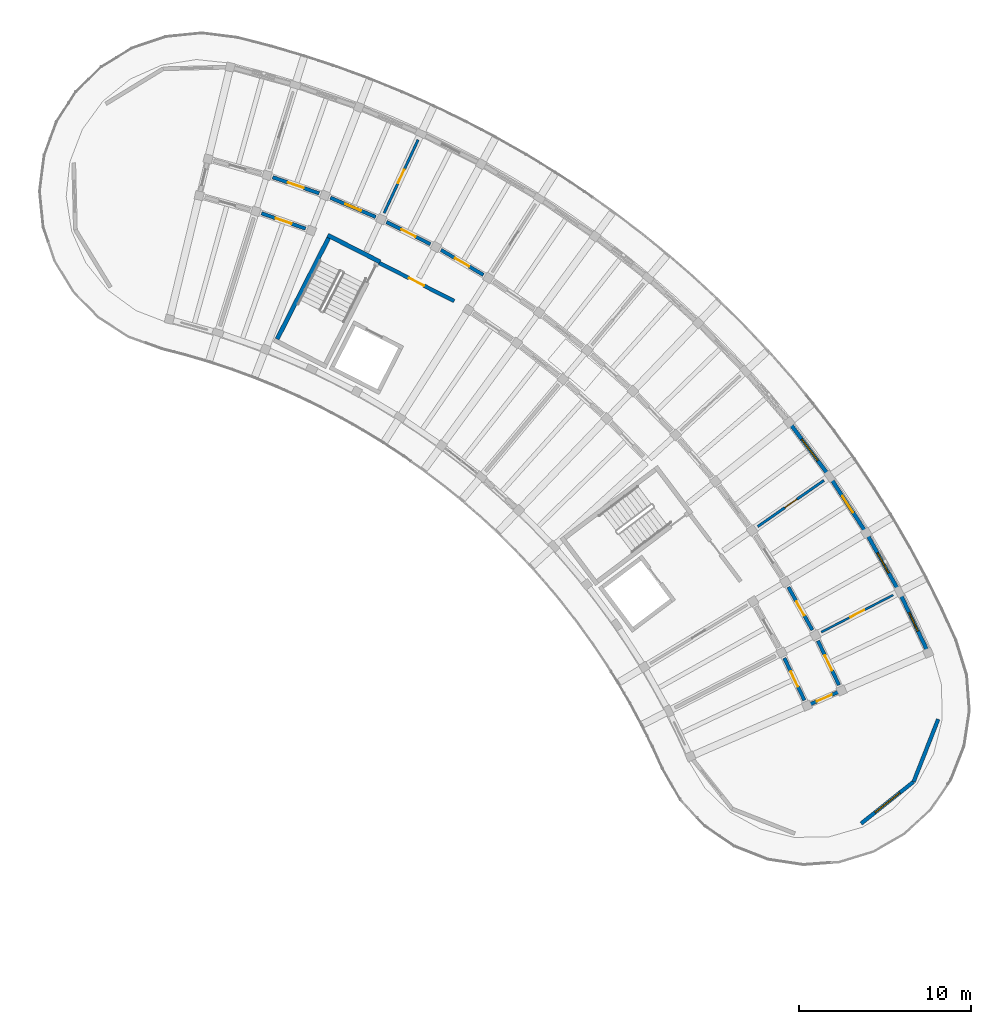
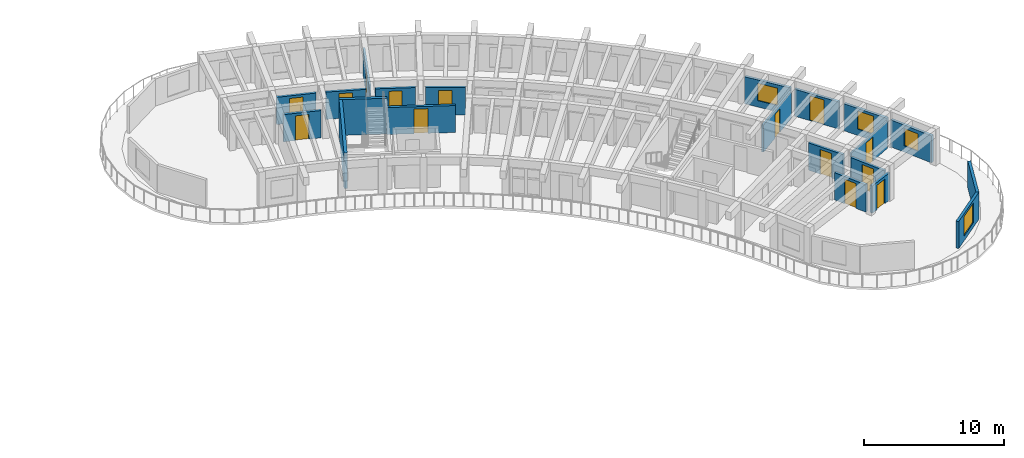
# One storey, part 25 of 41: 21 walls, 14 doors, 4 windows, 18 openings.
"""IFC4 building model written with IfcOpenShell, lengths in metres."""

from ifc_helpers import new_model, si_unit, direction, frame, frame_2d, origin, place, context, subcontext, project, spatial, rectangle, extrude, material, layer, layer_set, type_object, element, fill, save


model = new_model("IFC4")

# Units and contexts
model_context = context("Model", 3, precision=1e-05, world=origin(), true_north=direction((0.0, 1.0)))
body_context = subcontext(model_context, "Body", "Model", "MODEL_VIEW")
ifc_project = project(units=[si_unit("LENGTHUNIT", "METRE"), si_unit("AREAUNIT", "SQUARE_METRE"), si_unit("VOLUMEUNIT", "CUBIC_METRE"), si_unit("PLANEANGLEUNIT", "RADIAN"), si_unit("MASSUNIT", "GRAM", prefix="KILO")], contexts=[model_context])

# Site, building, storey
site_placement = place(None, origin())
site = spatial("IfcSite", under=ifc_project, at=site_placement, CompositionType="ELEMENT")
building_placement = place(site_placement, origin())
building = spatial("IfcBuilding", under=site, at=building_placement, Name="Tanwirah Colonnade Gardens", CompositionType="ELEMENT")
storey_placement = place(building_placement, frame((0.0, 0.0, 35.719970703125)))
storey = spatial("IfcBuildingStorey", under=building, at=storey_placement, Name="L10", CompositionType="ELEMENT", Elevation=35.719970703125)

# Wall, opening, window
ifc_material_1 = material(Name="Limestone architectural precast concrete C40/50", Category="masonry")
ifc_layer_1 = layer(ifc_material_1, 0.219970703125)
ifc_layer_set_1 = layer_set([ifc_layer_1], Name="Limestone architectural precast concrete C40/50")
wall_type_1 = type_object("IfcWallType", Name="EW-PC220", PredefinedType="SOLIDWALL", material=ifc_layer_set_1)
wall_1_placement = place(storey_placement, frame((175.493408203125, 84.197021484375, 0.0), z_axis=(0.0, 0.0, 1.0), x_axis=(-0.429641817045, 0.902999395928, 0.0)))
wall_1 = element("IfcWall", 1, at=wall_1_placement, inside=storey, type_object=wall_type_1, Name="Block B L10 OUT Precast Facade Wall 2", PredefinedType="SOLIDWALL", context=body_context, shape_type="SweptSolid", body=[
    extrude(rectangle(XDim=3.540771484375, YDim=0.219970703125, at=frame_2d((1.7705078125, 0.0))), origin(), (0.0, 0.0, 1.0), 2.35498046875),
])
opening_1_placement = place(wall_1_placement, frame((1.17041015625, 0.0, 0.550048828125)))
opening_1 = element("IfcOpeningElement", 2, at=opening_1_placement, cuts=wall_1, Name="Opening WIN-U02", PredefinedType="OPENING", context=body_context, shape_type="SweptSolid", body=[
    extrude(rectangle(XDim=1.199951171875, YDim=1.510009765625, at=frame_2d((0.60009765625, 0.7548828125))), frame((0.0, 0.119873046875, 0.0), z_axis=(0.0, -1.0, 0.0), x_axis=(1.0, 0.0, 0.0)), (0.0, 0.0, 1.0), 0.239990234375),
])
ifc_material_2 = material(Name="Thermally broken bronze aluminium and solar low-E double glazing", Category="aluminium")
window_type_1 = type_object("IfcWindowType", Name="WIN-U02", PartitioningType="DOUBLE_PANEL_VERTICAL", PredefinedType="WINDOW", material=ifc_material_2)
window_1_placement = place(opening_1_placement, origin())
window_1 = element("IfcWindow", 3, at=window_1_placement, inside=storey, type_object=window_type_1, Name="Facade window B-L10-OUT-02", OverallHeight=1.510009765625, OverallWidth=1.199951171875, PartitioningType="SINGLE_PANEL", PredefinedType="WINDOW", context=body_context, shape_type="SweptSolid", body=[
    extrude(rectangle(XDim=1.199951171875, YDim=1.510009765625, at=frame_2d((0.60009765625, 0.7548828125))), frame((0.0, 0.030029296875, 0.0), z_axis=(0.0, -1.0, 0.0), x_axis=(1.0, 0.0, 0.0)), (0.0, 0.0, 1.0), 0.06005859375),
])
fill(opening_1, window_1)

wall_2_placement = place(storey_placement, frame((173.82080078125, 87.687255859375, 0.0), z_axis=(0.0, 0.0, 1.0), x_axis=(-0.488240096514, 0.872709349185, 0.0)))
wall_2 = element("IfcWall", 4, at=wall_2_placement, inside=storey, type_object=wall_type_1, Name="Block B L10 OUT Precast Facade Wall 3", PredefinedType="SOLIDWALL", context=body_context, shape_type="SweptSolid", body=[
    extrude(rectangle(XDim=3.540771484375, YDim=0.219970703125, at=frame_2d((1.7705078125, 0.0))), origin(), (0.0, 0.0, 1.0), 2.35498046875),
])
opening_2_placement = place(wall_2_placement, frame((1.1103515625, 0.0, 0.550048828125)))
opening_2 = element("IfcOpeningElement", 5, at=opening_2_placement, cuts=wall_2, Name="Opening WIN-U05", PredefinedType="OPENING", context=body_context, shape_type="SweptSolid", body=[
    extrude(rectangle(XDim=1.320068359375, YDim=1.5849609375, at=frame_2d((0.66015625, 0.79248046875))), frame((0.0, 0.119873046875, 0.0), z_axis=(0.0, -1.0, 0.0), x_axis=(1.0, 0.0, 0.0)), (0.0, 0.0, 1.0), 0.239990234375),
])
window_type_2 = type_object("IfcWindowType", Name="WIN-U05", PartitioningType="DOUBLE_PANEL_VERTICAL", PredefinedType="WINDOW", material=ifc_material_2)
window_2_placement = place(opening_2_placement, origin())
window_2 = element("IfcWindow", 6, at=window_2_placement, inside=storey, type_object=window_type_2, Name="Facade window B-L10-OUT-03", OverallHeight=1.5849609375, OverallWidth=1.320068359375, PartitioningType="SINGLE_PANEL", PredefinedType="WINDOW", context=body_context, shape_type="SweptSolid", body=[
    extrude(rectangle(XDim=1.320068359375, YDim=1.5849609375, at=frame_2d((0.66015625, 0.79248046875))), frame((0.0, 0.030029296875, 0.0), z_axis=(0.0, -1.0, 0.0), x_axis=(1.0, 0.0, 0.0)), (0.0, 0.0, 1.0), 0.06005859375),
])
fill(opening_2, window_2)

# Wall, opening, door
wall_3_placement = place(storey_placement, frame((171.864990234375, 91.154052734375, 0.0), z_axis=(0.0, 0.0, 1.0), x_axis=(-0.544651423633, 0.838662522553, 0.0)))
wall_3 = element("IfcWall", 7, at=wall_3_placement, inside=storey, type_object=wall_type_1, Name="Block B L10 OUT Precast Facade Wall 4", PredefinedType="SOLIDWALL", context=body_context, shape_type="SweptSolid", body=[
    extrude(rectangle(XDim=3.540771484375, YDim=0.219970703125, at=frame_2d((1.7705078125, 0.0))), origin(), (0.0, 0.0, 1.0), 2.35498046875),
])
opening_3_placement = place(wall_3_placement, frame((1.2001953125, 0.0, 0.0)))
opening_3 = element("IfcOpeningElement", 8, at=opening_3_placement, cuts=wall_3, Name="Opening L10-ED114", PredefinedType="OPENING", context=body_context, shape_type="SweptSolid", body=[
    extrude(rectangle(XDim=1.139892578125, YDim=2.159912109375, at=frame_2d((0.56982421875, 1.080078125))), frame((0.0, 0.119873046875, 0.0), z_axis=(0.0, -1.0, 0.0), x_axis=(1.0, 0.0, 0.0)), (0.0, 0.0, 1.0), 0.239990234375),
])
ifc_material_3 = material(Name="Bronze aluminium glazed balcony door", Category="aluminium")
door_type_1 = type_object("IfcDoorType", Name="ED-BAL114", OperationType="NOTDEFINED", PredefinedType="DOOR", material=ifc_material_3)
door_1_placement = place(opening_3_placement, origin())
door_1 = element("IfcDoor", 9, at=door_1_placement, inside=storey, type_object=door_type_1, Name="Balcony glazed door L10-ED114", OperationType="SINGLE_SWING_LEFT", OverallHeight=2.159912109375, OverallWidth=1.139892578125, PredefinedType="DOOR", context=body_context, shape_type="SweptSolid", body=[
    extrude(rectangle(XDim=1.139892578125, YDim=2.159912109375, at=frame_2d((0.56982421875, 1.080078125))), frame((0.0, 0.02490234375, 0.0), z_axis=(0.0, -1.0, 0.0), x_axis=(1.0, 0.0, 0.0)), (0.0, 0.0, 1.0), 0.050048828125),
])
fill(opening_3, door_1)

# Wall, opening, window
wall_4_placement = place(storey_placement, frame((169.747802734375, 94.39404296875, 0.0), z_axis=(0.0, 0.0, 1.0), x_axis=(-0.59871946339, 0.800958803034, 0.0)))
wall_4 = element("IfcWall", 10, at=wall_4_placement, inside=storey, type_object=wall_type_1, Name="Block B L10 OUT Precast Facade Wall 5", PredefinedType="SOLIDWALL", context=body_context, shape_type="SweptSolid", body=[
    extrude(rectangle(XDim=3.540771484375, YDim=0.219970703125, at=frame_2d((1.7705078125, 0.0))), origin(), (0.0, 0.0, 1.0), 2.35498046875),
])
opening_4_placement = place(wall_4_placement, frame((0.990478515625, 0.0, 0.550048828125)))
opening_4 = element("IfcOpeningElement", 11, at=opening_4_placement, cuts=wall_4, Name="Opening WIN-U11", PredefinedType="OPENING", context=body_context, shape_type="SweptSolid", body=[
    extrude(rectangle(XDim=1.56005859375, YDim=1.510009765625, at=frame_2d((0.780029296875, 0.7548828125))), frame((0.0, 0.119873046875, 0.0), z_axis=(0.0, -1.0, 0.0), x_axis=(1.0, 0.0, 0.0)), (0.0, 0.0, 1.0), 0.239990234375),
])
window_type_3 = type_object("IfcWindowType", Name="WIN-U11", PartitioningType="DOUBLE_PANEL_VERTICAL", PredefinedType="WINDOW", material=ifc_material_2)
window_3_placement = place(opening_4_placement, origin())
window_3 = element("IfcWindow", 12, at=window_3_placement, inside=storey, type_object=window_type_3, Name="Facade window B-L10-OUT-05", OverallHeight=1.510009765625, OverallWidth=1.56005859375, PartitioningType="SINGLE_PANEL", PredefinedType="WINDOW", context=body_context, shape_type="SweptSolid", body=[
    extrude(rectangle(XDim=1.56005859375, YDim=1.510009765625, at=frame_2d((0.780029296875, 0.7548828125))), frame((0.0, 0.030029296875, 0.0), z_axis=(0.0, -1.0, 0.0), x_axis=(1.0, 0.0, 0.0)), (0.0, 0.0, 1.0), 0.06005859375),
])
fill(opening_4, window_3)

# Wall
wall_5_placement = place(storey_placement, frame((176.169189453125, 80.1337890625, 0.0), z_axis=(0.0, 0.0, 1.0), x_axis=(-0.365567330517, -0.930784898276, 0.0)))
element("IfcWall", 13, at=wall_5_placement, inside=storey, type_object=wall_type_1, Name="Block B L10 START Rounded End Wall 1", PredefinedType="SOLIDWALL", context=body_context, shape_type="SweptSolid", body=[
    extrude(rectangle(XDim=3.908203125, YDim=0.219970703125, at=frame_2d((1.9541015625, 0.0))), origin(), (0.0, 0.0, 1.0), 2.35498046875),
])

# Wall, opening, window
wall_6_placement = place(storey_placement, frame((174.740478515625, 76.49609375, 0.0), z_axis=(0.0, 0.0, 1.0), x_axis=(-0.782007217765, -0.623269373034, 0.0)))
wall_6 = element("IfcWall", 14, at=wall_6_placement, inside=storey, type_object=wall_type_1, Name="Block B L10 START Rounded End Wall 2", PredefinedType="SOLIDWALL", context=body_context, shape_type="SweptSolid", body=[
    extrude(rectangle(XDim=3.908203125, YDim=0.219970703125, at=frame_2d((1.9541015625, 0.0))), origin(), (0.0, 0.0, 1.0), 2.35498046875),
])
opening_5_placement = place(wall_6_placement, frame((1.029052734375, 0.0, 0.39990234375)))
opening_5 = element("IfcOpeningElement", 15, at=opening_5_placement, cuts=wall_6, Name="Opening WIN-END1", PredefinedType="OPENING", context=body_context, shape_type="SweptSolid", body=[
    extrude(rectangle(XDim=1.85009765625, YDim=1.719970703125, at=frame_2d((0.925048828125, 0.85986328125))), frame((0.0, 0.119873046875, 0.0), z_axis=(0.0, -1.0, 0.0), x_axis=(1.0, 0.0, 0.0)), (0.0, 0.0, 1.0), 0.239990234375),
])
window_type_4 = type_object("IfcWindowType", Name="WIN-END1", PartitioningType="TRIPLE_PANEL_VERTICAL", PredefinedType="WINDOW", material=ifc_material_2)
window_4_placement = place(opening_5_placement, origin())
window_4 = element("IfcWindow", 16, at=window_4_placement, inside=storey, type_object=window_type_4, Name="Rounded corner window B-L10-START-2", OverallHeight=1.719970703125, OverallWidth=1.85009765625, PartitioningType="SINGLE_PANEL", PredefinedType="WINDOW", context=body_context, shape_type="SweptSolid", body=[
    extrude(rectangle(XDim=1.85009765625, YDim=1.719970703125, at=frame_2d((0.925048828125, 0.85986328125))), frame((0.0, 0.030029296875, 0.0), z_axis=(0.0, -1.0, 0.0), x_axis=(1.0, 0.0, 0.0)), (0.0, 0.0, 1.0), 0.06005859375),
])
fill(opening_5, window_4)

# Wall, opening, door
ifc_material_4 = material(Name="Precast concrete C40/50", Category="concrete")
ifc_layer_2 = layer(ifc_material_4, 0.205078125)
ifc_layer_set_2 = layer_set([ifc_layer_2], Name="Precast concrete C40/50")
wall_type_2 = type_object("IfcWallType", Name="IW-CORR205", PredefinedType="PARTITIONING", material=ifc_layer_set_2)
wall_7_placement = place(storey_placement, frame((170.395751953125, 82.116455078125, 0.0), z_axis=(0.0, 0.0, 1.0), x_axis=(-0.429595933416, 0.90302122566, 0.0)))
wall_7 = element("IfcWall", 17, at=wall_7_placement, inside=storey, type_object=wall_type_2, Name="Block B L10 OUT Corridor Wall 2", PredefinedType="PARTITIONING", context=body_context, shape_type="SweptSolid", body=[
    extrude(rectangle(XDim=2.863037109375, YDim=0.205078125, at=frame_2d((1.431640625, 0.0))), origin(), (0.0, 0.0, 1.0), 2.3701171875),
])
opening_6_placement = place(wall_7_placement, frame((0.946533203125, 0.0, 0.0)))
opening_6 = element("IfcOpeningElement", 18, at=opening_6_placement, cuts=wall_7, Name="Opening L10-AD1194", PredefinedType="OPENING", context=body_context, shape_type="SweptSolid", body=[
    extrude(rectangle(XDim=0.969970703125, YDim=2.14990234375, at=frame_2d((0.48486328125, 1.074951171875))), frame((0.0, 0.112548828125, 0.0), z_axis=(0.0, -1.0, 0.0), x_axis=(1.0, 0.0, 0.0)), (0.0, 0.0, 1.0), 0.22509765625),
])
ifc_material_5 = material(Name="Solid oak fire-resisting apartment entrance door")
door_type_2 = type_object("IfcDoorType", Name="ID-FLT097", OperationType="NOTDEFINED", PredefinedType="DOOR", material=ifc_material_5)
door_2_placement = place(opening_6_placement, origin())
door_2 = element("IfcDoor", 19, at=door_2_placement, inside=storey, type_object=door_type_2, Name="Apartment corridor door L10-AD1194", OperationType="SINGLE_SWING_LEFT", OverallHeight=2.14990234375, OverallWidth=0.969970703125, PredefinedType="DOOR", context=body_context, shape_type="SweptSolid", body=[
    extrude(rectangle(XDim=0.969970703125, YDim=2.14990234375, at=frame_2d((0.48486328125, 1.074951171875))), frame((0.0, 0.02490234375, 0.0), z_axis=(0.0, -1.0, 0.0), x_axis=(1.0, 0.0, 0.0)), (0.0, 0.0, 1.0), 0.050048828125),
])
fill(opening_6, door_2)

wall_8_placement = place(storey_placement, frame((168.379150390625, 81.2373046875, 0.0), z_axis=(0.0, 0.0, 1.0), x_axis=(-0.429630211913, 0.90300491749, 0.0)))
wall_8 = element("IfcWall", 20, at=wall_8_placement, inside=storey, type_object=wall_type_2, Name="Block B L10 IN Corridor Wall 2", PredefinedType="PARTITIONING", context=body_context, shape_type="SweptSolid", body=[
    extrude(rectangle(XDim=2.718017578125, YDim=0.205078125, at=frame_2d((1.35888671875, 0.0))), origin(), (0.0, 0.0, 1.0), 2.3701171875),
])
opening_7_placement = place(wall_8_placement, frame((0.8740234375, 0.0, 0.0)))
opening_7 = element("IfcOpeningElement", 21, at=opening_7_placement, cuts=wall_8, Name="Opening L10-AD1195", PredefinedType="OPENING", context=body_context, shape_type="SweptSolid", body=[
    extrude(rectangle(XDim=0.969970703125, YDim=2.14990234375, at=frame_2d((0.48486328125, 1.074951171875))), frame((0.0, 0.112548828125, 0.0), z_axis=(0.0, -1.0, 0.0), x_axis=(1.0, 0.0, 0.0)), (0.0, 0.0, 1.0), 0.22509765625),
])
door_3_placement = place(opening_7_placement, origin())
door_3 = element("IfcDoor", 22, at=door_3_placement, inside=storey, type_object=door_type_2, Name="Apartment corridor door L10-AD1195", OperationType="SINGLE_SWING_RIGHT", OverallHeight=2.14990234375, OverallWidth=0.969970703125, PredefinedType="DOOR", context=body_context, shape_type="SweptSolid", body=[
    extrude(rectangle(XDim=0.969970703125, YDim=2.14990234375, at=frame_2d((0.48486328125, 1.074951171875))), frame((0.0, 0.02490234375, 0.0), z_axis=(0.0, -1.0, 0.0), x_axis=(1.0, 0.0, 0.0)), (0.0, 0.0, 1.0), 0.050048828125),
])
fill(opening_7, door_3)

wall_9_placement = place(storey_placement, frame((168.844482421875, 85.323486328125, 0.0), z_axis=(0.0, 0.0, 1.0), x_axis=(-0.48817487918, 0.872745832037, 0.0)))
wall_9 = element("IfcWall", 23, at=wall_9_placement, inside=storey, type_object=wall_type_2, Name="Block B L10 OUT Corridor Wall 3", PredefinedType="PARTITIONING", context=body_context, shape_type="SweptSolid", body=[
    extrude(rectangle(XDim=2.863037109375, YDim=0.205078125, at=frame_2d((1.431640625, 0.0))), origin(), (0.0, 0.0, 1.0), 2.3701171875),
])
opening_8_placement = place(wall_9_placement, frame((0.95654296875, 0.0, 0.0)))
opening_8 = element("IfcOpeningElement", 24, at=opening_8_placement, cuts=wall_9, Name="Opening L10-AD1197", PredefinedType="OPENING", context=body_context, shape_type="SweptSolid", body=[
    extrude(rectangle(XDim=0.949951171875, YDim=2.1298828125, at=frame_2d((0.47509765625, 1.06494140625))), frame((0.0, 0.112548828125, 0.0), z_axis=(0.0, -1.0, 0.0), x_axis=(1.0, 0.0, 0.0)), (0.0, 0.0, 1.0), 0.22509765625),
])
door_type_3 = type_object("IfcDoorType", Name="ID-FLT095", OperationType="NOTDEFINED", PredefinedType="DOOR", material=ifc_material_5)
door_4_placement = place(opening_8_placement, origin())
door_4 = element("IfcDoor", 25, at=door_4_placement, inside=storey, type_object=door_type_3, Name="Apartment corridor door L10-AD1197", OperationType="SINGLE_SWING_RIGHT", OverallHeight=2.1298828125, OverallWidth=0.949951171875, PredefinedType="DOOR", context=body_context, shape_type="SweptSolid", body=[
    extrude(rectangle(XDim=0.949951171875, YDim=2.1298828125, at=frame_2d((0.47509765625, 1.06494140625))), frame((0.0, 0.02490234375, 0.0), z_axis=(0.0, -1.0, 0.0), x_axis=(1.0, 0.0, 0.0)), (0.0, 0.0, 1.0), 0.050048828125),
])
fill(opening_8, door_4)

wall_10_placement = place(storey_placement, frame((149.6953125, 105.991455078125, 0.0), z_axis=(0.0, 0.0, 1.0), x_axis=(-0.861113214678, 0.508413248753, 0.0)))
wall_10 = element("IfcWall", 26, at=wall_10_placement, inside=storey, type_object=wall_type_2, Name="Block B L10 OUT Corridor Wall 11", PredefinedType="PARTITIONING", context=body_context, shape_type="SweptSolid", body=[
    extrude(rectangle(XDim=2.863037109375, YDim=0.205078125, at=frame_2d((1.431640625, 0.0))), origin(), (0.0, 0.0, 1.0), 2.3701171875),
])
opening_9_placement = place(wall_10_placement, frame((0.95654296875, 0.0, 0.0)))
opening_9 = element("IfcOpeningElement", 27, at=opening_9_placement, cuts=wall_10, Name="Opening L10-AD1215", PredefinedType="OPENING", context=body_context, shape_type="SweptSolid", body=[
    extrude(rectangle(XDim=0.949951171875, YDim=2.1298828125, at=frame_2d((0.47509765625, 1.06494140625))), frame((0.0, 0.112548828125, 0.0), z_axis=(0.0, -1.0, 0.0), x_axis=(1.0, 0.0, 0.0)), (0.0, 0.0, 1.0), 0.22509765625),
])
door_5_placement = place(opening_9_placement, origin())
door_5 = element("IfcDoor", 28, at=door_5_placement, inside=storey, type_object=door_type_3, Name="Apartment corridor door L10-AD1215", OperationType="SINGLE_SWING_RIGHT", OverallHeight=2.1298828125, OverallWidth=0.949951171875, PredefinedType="DOOR", context=body_context, shape_type="SweptSolid", body=[
    extrude(rectangle(XDim=0.949951171875, YDim=2.1298828125, at=frame_2d((0.47509765625, 1.06494140625))), frame((0.0, 0.02490234375, 0.0), z_axis=(0.0, -1.0, 0.0), x_axis=(1.0, 0.0, 0.0)), (0.0, 0.0, 1.0), 0.050048828125),
])
fill(opening_9, door_5)

wall_11_placement = place(storey_placement, frame((146.615966796875, 107.782470703125, 0.0), z_axis=(0.0, 0.0, 1.0), x_axis=(-0.89273239336, 0.450587254419, 0.0)))
wall_11 = element("IfcWall", 29, at=wall_11_placement, inside=storey, type_object=wall_type_2, Name="Block B L10 OUT Corridor Wall 12", PredefinedType="PARTITIONING", context=body_context, shape_type="SweptSolid", body=[
    extrude(rectangle(XDim=2.863037109375, YDim=0.205078125, at=frame_2d((1.431640625, 0.0))), origin(), (0.0, 0.0, 1.0), 2.3701171875),
])
opening_10_placement = place(wall_11_placement, frame((0.966552734375, 0.0, 0.0)))
opening_10 = element("IfcOpeningElement", 30, at=opening_10_placement, cuts=wall_11, Name="Opening L10-AD1216", PredefinedType="OPENING", context=body_context, shape_type="SweptSolid", body=[
    extrude(rectangle(XDim=0.929931640625, YDim=2.1201171875, at=frame_2d((0.46484375, 1.06005859375))), frame((0.0, 0.112548828125, 0.0), z_axis=(0.0, -1.0, 0.0), x_axis=(1.0, 0.0, 0.0)), (0.0, 0.0, 1.0), 0.22509765625),
])
door_type_4 = type_object("IfcDoorType", Name="ID-FLT093", OperationType="NOTDEFINED", PredefinedType="DOOR", material=ifc_material_5)
door_6_placement = place(opening_10_placement, origin())
door_6 = element("IfcDoor", 31, at=door_6_placement, inside=storey, type_object=door_type_4, Name="Apartment corridor door L10-AD1216", OperationType="SINGLE_SWING_LEFT", OverallHeight=2.1201171875, OverallWidth=0.929931640625, PredefinedType="DOOR", context=body_context, shape_type="SweptSolid", body=[
    extrude(rectangle(XDim=0.929931640625, YDim=2.1201171875, at=frame_2d((0.46484375, 1.06005859375))), frame((0.0, 0.02490234375, 0.0), z_axis=(0.0, -1.0, 0.0), x_axis=(1.0, 0.0, 0.0)), (0.0, 0.0, 1.0), 0.050048828125),
])
fill(opening_10, door_6)

wall_12_placement = place(storey_placement, frame((143.42529296875, 109.366943359375, 0.0), z_axis=(0.0, 0.0, 1.0), x_axis=(-0.920511160294, 0.390716270168, 0.0)))
wall_12 = element("IfcWall", 32, at=wall_12_placement, inside=storey, type_object=wall_type_2, Name="Block B L10 OUT Corridor Wall 13", PredefinedType="PARTITIONING", context=body_context, shape_type="SweptSolid", body=[
    extrude(rectangle(XDim=2.863037109375, YDim=0.205078125, at=frame_2d((1.431640625, 0.0))), origin(), (0.0, 0.0, 1.0), 2.3701171875),
])
opening_11_placement = place(wall_12_placement, frame((0.9365234375, 0.0, 0.0)))
opening_11 = element("IfcOpeningElement", 33, at=opening_11_placement, cuts=wall_12, Name="Opening L10-AD1218", PredefinedType="OPENING", context=body_context, shape_type="SweptSolid", body=[
    extrude(rectangle(XDim=0.989990234375, YDim=2.159912109375, at=frame_2d((0.4951171875, 1.080078125))), frame((0.0, 0.112548828125, 0.0), z_axis=(0.0, -1.0, 0.0), x_axis=(1.0, 0.0, 0.0)), (0.0, 0.0, 1.0), 0.22509765625),
])
door_type_5 = type_object("IfcDoorType", Name="ID-FLT099", OperationType="NOTDEFINED", PredefinedType="DOOR", material=ifc_material_5)
door_7_placement = place(opening_11_placement, origin())
door_7 = element("IfcDoor", 34, at=door_7_placement, inside=storey, type_object=door_type_5, Name="Apartment corridor door L10-AD1218", OperationType="SINGLE_SWING_RIGHT", OverallHeight=2.159912109375, OverallWidth=0.989990234375, PredefinedType="DOOR", context=body_context, shape_type="SweptSolid", body=[
    extrude(rectangle(XDim=0.989990234375, YDim=2.159912109375, at=frame_2d((0.4951171875, 1.080078125))), frame((0.0, 0.02490234375, 0.0), z_axis=(0.0, -1.0, 0.0), x_axis=(1.0, 0.0, 0.0)), (0.0, 0.0, 1.0), 0.050048828125),
])
fill(opening_11, door_7)

wall_13_placement = place(storey_placement, frame((140.13720703125, 110.737548828125, 0.0), z_axis=(0.0, 0.0, 1.0), x_axis=(-0.944253820929, 0.329218349522, 0.0)))
wall_13 = element("IfcWall", 35, at=wall_13_placement, inside=storey, type_object=wall_type_2, Name="Block B L10 OUT Corridor Wall 14", PredefinedType="PARTITIONING", context=body_context, shape_type="SweptSolid", body=[
    extrude(rectangle(XDim=2.86328125, YDim=0.205078125, at=frame_2d((1.431640625, 0.0))), origin(), (0.0, 0.0, 1.0), 2.3701171875),
])
opening_12_placement = place(wall_13_placement, frame((0.946533203125, 0.0, 0.0)))
opening_12 = element("IfcOpeningElement", 36, at=opening_12_placement, cuts=wall_13, Name="Opening L10-AD1219", PredefinedType="OPENING", context=body_context, shape_type="SweptSolid", body=[
    extrude(rectangle(XDim=0.969970703125, YDim=2.14990234375, at=frame_2d((0.48486328125, 1.074951171875))), frame((0.0, 0.112548828125, 0.0), z_axis=(0.0, -1.0, 0.0), x_axis=(1.0, 0.0, 0.0)), (0.0, 0.0, 1.0), 0.22509765625),
])
door_8_placement = place(opening_12_placement, origin())
door_8 = element("IfcDoor", 37, at=door_8_placement, inside=storey, type_object=door_type_2, Name="Apartment corridor door L10-AD1219", OperationType="SINGLE_SWING_LEFT", OverallHeight=2.14990234375, OverallWidth=0.969970703125, PredefinedType="DOOR", context=body_context, shape_type="SweptSolid", body=[
    extrude(rectangle(XDim=0.969970703125, YDim=2.14990234375, at=frame_2d((0.48486328125, 1.074951171875))), frame((0.0, 0.02490234375, 0.0), z_axis=(0.0, -1.0, 0.0), x_axis=(1.0, 0.0, 0.0)), (0.0, 0.0, 1.0), 0.050048828125),
])
fill(opening_12, door_8)

wall_14_placement = place(storey_placement, frame((139.3447265625, 108.685302734375, 0.0), z_axis=(0.0, 0.0, 1.0), x_axis=(-0.944265123647, 0.329185929627, 0.0)))
wall_14 = element("IfcWall", 38, at=wall_14_placement, inside=storey, type_object=wall_type_2, Name="Block B L10 IN Corridor Wall 14", PredefinedType="PARTITIONING", context=body_context, shape_type="SweptSolid", body=[
    extrude(rectangle(XDim=2.71826171875, YDim=0.205078125, at=frame_2d((1.359130859375, 0.0))), origin(), (0.0, 0.0, 1.0), 2.3701171875),
])
opening_13_placement = place(wall_14_placement, frame((0.8740234375, 0.0, 0.0)))
opening_13 = element("IfcOpeningElement", 39, at=opening_13_placement, cuts=wall_14, Name="Opening L10-AD1220", PredefinedType="OPENING", context=body_context, shape_type="SweptSolid", body=[
    extrude(rectangle(XDim=0.969970703125, YDim=2.14990234375, at=frame_2d((0.48486328125, 1.074951171875))), frame((0.0, 0.112548828125, 0.0), z_axis=(0.0, -1.0, 0.0), x_axis=(1.0, 0.0, 0.0)), (0.0, 0.0, 1.0), 0.22509765625),
])
door_9_placement = place(opening_13_placement, origin())
door_9 = element("IfcDoor", 40, at=door_9_placement, inside=storey, type_object=door_type_2, Name="Apartment corridor door L10-AD1220", OperationType="SINGLE_SWING_RIGHT", OverallHeight=2.14990234375, OverallWidth=0.969970703125, PredefinedType="DOOR", context=body_context, shape_type="SweptSolid", body=[
    extrude(rectangle(XDim=0.969970703125, YDim=2.14990234375, at=frame_2d((0.48486328125, 1.074951171875))), frame((0.0, 0.02490234375, 0.0), z_axis=(0.0, -1.0, 0.0), x_axis=(1.0, 0.0, 0.0)), (0.0, 0.0, 1.0), 0.050048828125),
])
fill(opening_13, door_9)

wall_15_placement = place(storey_placement, frame((168.575439453125, 80.941162109375, 0.0), z_axis=(0.0, 0.0, 1.0), x_axis=(0.916636986934, 0.399720695216, 0.0)))
wall_15 = element("IfcWall", 41, at=wall_15_placement, inside=storey, type_object=wall_type_2, Name="Block B L10 CS Corner Suite Corridor Wall", PredefinedType="PARTITIONING", context=body_context, shape_type="SweptSolid", body=[
    extrude(rectangle(XDim=2.099853515625, YDim=0.205078125, at=frame_2d((1.0498046875, 0.0))), origin(), (0.0, 0.0, 1.0), 2.3701171875),
])
opening_14_placement = place(wall_15_placement, frame((0.570068359375, 0.0, 0.0)))
opening_14 = element("IfcOpeningElement", 42, at=opening_14_placement, cuts=wall_15, Name="Opening L10-CD1224", PredefinedType="OPENING", context=body_context, shape_type="SweptSolid", body=[
    extrude(rectangle(XDim=0.949951171875, YDim=2.1298828125, at=frame_2d((0.47509765625, 1.06494140625))), frame((0.0, 0.112548828125, 0.0), z_axis=(0.0, -1.0, 0.0), x_axis=(1.0, 0.0, 0.0)), (0.0, 0.0, 1.0), 0.22509765625),
])
door_10_placement = place(opening_14_placement, origin())
door_10 = element("IfcDoor", 43, at=door_10_placement, inside=storey, type_object=door_type_3, Name="Corner suite entrance door L10-CD1224", OperationType="SINGLE_SWING_LEFT", OverallHeight=2.1298828125, OverallWidth=0.949951171875, PredefinedType="DOOR", context=body_context, shape_type="SweptSolid", body=[
    extrude(rectangle(XDim=0.949951171875, YDim=2.1298828125, at=frame_2d((0.47509765625, 1.06494140625))), frame((0.0, 0.02490234375, 0.0), z_axis=(0.0, -1.0, 0.0), x_axis=(1.0, 0.0, 0.0)), (0.0, 0.0, 1.0), 0.050048828125),
])
fill(opening_14, door_10)

ifc_material_6 = material(Name="Autoclaved aerated masonry blockwork", Category="masonry")
ifc_layer_3 = layer(ifc_material_6, 0.219970703125)
ifc_layer_set_3 = layer_set([ifc_layer_3], Name="Autoclaved aerated masonry blockwork")
wall_type_3 = type_object("IfcWallType", Name="IW-FFL220", PredefinedType="PARTITIONING", material=ifc_layer_set_3)
wall_16_placement = place(storey_placement, frame((143.624755859375, 106.6962890625, 0.0), z_axis=(0.0, 0.0, 1.0), x_axis=(0.891003372311, -0.453996685595, 0.0)))
wall_16 = element("IfcWall", 44, at=wall_16_placement, inside=storey, type_object=wall_type_3, Name="CORE-B2 L10 Enclosed Lobby Fire Wall", PredefinedType="PARTITIONING", context=body_context, shape_type="SweptSolid", body=[
    extrude(rectangle(XDim=4.900146484375, YDim=0.219970703125, at=frame_2d((2.4501953125, 0.0))), origin(), (0.0, 0.0, 1.0), 2.340087890625),
])
opening_15_placement = place(wall_16_placement, frame((1.949951171875, 0.0, 0.0)))
opening_15 = element("IfcOpeningElement", 45, at=opening_15_placement, cuts=wall_16, Name="Opening L10-LD118", PredefinedType="OPENING", context=body_context, shape_type="SweptSolid", body=[
    extrude(rectangle(XDim=0.97998046875, YDim=2.139892578125, at=frame_2d((0.489990234375, 1.06982421875))), frame((0.0, 0.119873046875, 0.0), z_axis=(0.0, -1.0, 0.0), x_axis=(1.0, 0.0, 0.0)), (0.0, 0.0, 1.0), 0.239990234375),
])
ifc_material_7 = material(Name="Acoustic fire-resisting lobby door")
door_type_6 = type_object("IfcDoorType", Name="ID-FFL098", OperationType="NOTDEFINED", PredefinedType="DOOR", material=ifc_material_7)
door_11_placement = place(opening_15_placement, origin())
door_11 = element("IfcDoor", 46, at=door_11_placement, inside=storey, type_object=door_type_6, Name="CORE-B2 L10 Lobby Fire Door L10-LD118", OperationType="SINGLE_SWING_LEFT", OverallHeight=2.139892578125, OverallWidth=0.97998046875, PredefinedType="DOOR", context=body_context, shape_type="SweptSolid", body=[
    extrude(rectangle(XDim=0.97998046875, YDim=2.139892578125, at=frame_2d((0.489990234375, 1.06982421875))), frame((0.0, 0.02490234375, 0.0), z_axis=(0.0, -1.0, 0.0), x_axis=(1.0, 0.0, 0.0)), (0.0, 0.0, 1.0), 0.050048828125),
])
fill(opening_15, door_11)

ifc_material_8 = material(Name="Moisture-resistant gypsum stud partition")
ifc_layer_4 = layer(ifc_material_8, 0.125)
ifc_layer_set_4 = layer_set([ifc_layer_4], Name="Moisture-resistant gypsum stud partition")
wall_type_4 = type_object("IfcWallType", Name="IW-INT125", PredefinedType="PARTITIONING", material=ifc_layer_set_4)
wall_17_placement = place(storey_placement, frame((169.37060546875, 85.20166015625, 0.0), z_axis=(0.0, 0.0, 1.0), x_axis=(0.88836305433, 0.459141681512, 0.0)))
wall_17 = element("IfcWall", 47, at=wall_17_placement, inside=storey, type_object=wall_type_4, Name="Block B L10 Radial Partition 2", PredefinedType="PARTITIONING", context=body_context, shape_type="SweptSolid", body=[
    extrude(rectangle(XDim=4.699951171875, YDim=0.125, at=frame_2d((2.35009765625, 0.0))), origin(), (0.0, 0.0, 1.0), 2.3701171875),
])
opening_16_placement = place(wall_17_placement, frame((1.89501953125, 0.0, 0.0)))
opening_16 = element("IfcOpeningElement", 48, at=opening_16_placement, cuts=wall_17, Name="Opening L10-RD1196", PredefinedType="OPENING", context=body_context, shape_type="SweptSolid", body=[
    extrude(rectangle(XDim=0.909912109375, YDim=2.10009765625, at=frame_2d((0.455078125, 1.050048828125))), frame((0.0, 0.072509765625, 0.0), z_axis=(0.0, -1.0, 0.0), x_axis=(1.0, 0.0, 0.0)), (0.0, 0.0, 1.0), 0.14501953125),
])
ifc_material_9 = material(Name="Painted hardwood internal room door", Category="wood")
door_type_7 = type_object("IfcDoorType", Name="ID-RM091", OperationType="NOTDEFINED", PredefinedType="DOOR", material=ifc_material_9)
door_12_placement = place(opening_16_placement, origin())
door_12 = element("IfcDoor", 49, at=door_12_placement, inside=storey, type_object=door_type_7, Name="Internal apartment door L10-RD1196", OperationType="SINGLE_SWING_LEFT", OverallHeight=2.10009765625, OverallWidth=0.909912109375, PredefinedType="DOOR", context=body_context, shape_type="SweptSolid", body=[
    extrude(rectangle(XDim=0.909912109375, YDim=2.10009765625, at=frame_2d((0.455078125, 1.050048828125))), frame((0.0, 0.02490234375, 0.0), z_axis=(0.0, -1.0, 0.0), x_axis=(1.0, 0.0, 0.0)), (0.0, 0.0, 1.0), 0.050048828125),
])
fill(opening_16, door_12)

ifc_material_10 = material(Name="Water-resistant acoustic plumbing partition")
ifc_layer_5 = layer(ifc_material_10, 0.14990234375)
ifc_layer_set_5 = layer_set([ifc_layer_5], Name="Water-resistant acoustic plumbing partition")
wall_type_5 = type_object("IfcWallType", Name="IW-WET150", PredefinedType="PLUMBINGWALL", material=ifc_layer_set_5)
wall_18_placement = place(storey_placement, frame((165.663330078125, 91.3447265625, 0.0), z_axis=(0.0, 0.0, 1.0), x_axis=(0.820272617205, 0.571972755876, 0.0)))
wall_18 = element("IfcWall", 50, at=wall_18_placement, inside=storey, type_object=wall_type_5, Name="Block B L10 Radial Partition 4", PredefinedType="PLUMBINGWALL", context=body_context, shape_type="SweptSolid", body=[
    extrude(rectangle(XDim=4.699951171875, YDim=0.14990234375, at=frame_2d((2.35009765625, 0.0))), origin(), (0.0, 0.0, 1.0), 2.3701171875),
])
opening_17_placement = place(wall_18_placement, frame((1.919921875, 0.0, 0.0)))
opening_17 = element("IfcOpeningElement", 51, at=opening_17_placement, cuts=wall_18, Name="Opening L10-RD1201", PredefinedType="OPENING", context=body_context, shape_type="SweptSolid", body=[
    extrude(rectangle(XDim=0.860107421875, YDim=2.06005859375, at=frame_2d((0.43017578125, 1.030029296875))), frame((0.0, 0.0849609375, 0.0), z_axis=(0.0, -1.0, 0.0), x_axis=(1.0, 0.0, 0.0)), (0.0, 0.0, 1.0), 0.169921875),
])
ifc_material_11 = material(Name="Moisture-resistant bathroom door")
door_type_8 = type_object("IfcDoorType", Name="ID-WET086", OperationType="NOTDEFINED", PredefinedType="DOOR", material=ifc_material_11)
door_13_placement = place(opening_17_placement, origin())
door_13 = element("IfcDoor", 52, at=door_13_placement, inside=storey, type_object=door_type_8, Name="Internal apartment door L10-RD1201", OperationType="SINGLE_SWING_LEFT", OverallHeight=2.06005859375, OverallWidth=0.860107421875, PredefinedType="DOOR", context=body_context, shape_type="SweptSolid", body=[
    extrude(rectangle(XDim=0.860107421875, YDim=2.06005859375, at=frame_2d((0.43017578125, 1.030029296875))), frame((0.0, 0.02490234375, 0.0), z_axis=(0.0, -1.0, 0.0), x_axis=(1.0, 0.0, 0.0)), (0.0, 0.0, 1.0), 0.050048828125),
])
fill(opening_17, door_13)

wall_19_placement = place(storey_placement, frame((143.915771484375, 109.593017578125, 0.0), z_axis=(0.0, 0.0, 1.0), x_axis=(0.420862519045, 0.907124434718, 0.0)))
wall_19 = element("IfcWall", 53, at=wall_19_placement, inside=storey, type_object=wall_type_5, Name="Block B L10 Radial Partition 12", PredefinedType="PLUMBINGWALL", context=body_context, shape_type="SweptSolid", body=[
    extrude(rectangle(XDim=4.699951171875, YDim=0.14990234375, at=frame_2d((2.35009765625, 0.0))), origin(), (0.0, 0.0, 1.0), 2.3701171875),
])
opening_18_placement = place(wall_19_placement, frame((1.919921875, 0.0, 0.0)))
opening_18 = element("IfcOpeningElement", 54, at=opening_18_placement, cuts=wall_19, Name="Opening L10-RD1217", PredefinedType="OPENING", context=body_context, shape_type="SweptSolid", body=[
    extrude(rectangle(XDim=0.860107421875, YDim=2.06005859375, at=frame_2d((0.43017578125, 1.030029296875))), frame((0.0, 0.0849609375, 0.0), z_axis=(0.0, -1.0, 0.0), x_axis=(1.0, 0.0, 0.0)), (0.0, 0.0, 1.0), 0.169921875),
])
door_14_placement = place(opening_18_placement, origin())
door_14 = element("IfcDoor", 55, at=door_14_placement, inside=storey, type_object=door_type_8, Name="Internal apartment door L10-RD1217", OperationType="SINGLE_SWING_LEFT", OverallHeight=2.06005859375, OverallWidth=0.860107421875, PredefinedType="DOOR", context=body_context, shape_type="SweptSolid", body=[
    extrude(rectangle(XDim=0.860107421875, YDim=2.06005859375, at=frame_2d((0.43017578125, 1.030029296875))), frame((0.0, 0.02490234375, 0.0), z_axis=(0.0, -1.0, 0.0), x_axis=(1.0, 0.0, 0.0)), (0.0, 0.0, 1.0), 0.050048828125),
])
fill(opening_18, door_14)

# Walls
ifc_material_12 = material(Name="Concrete C45/55", Category="concrete")
ifc_layer_6 = layer(ifc_material_12, 0.25)
ifc_layer_set_6 = layer_set([ifc_layer_6], Name="Concrete C45/55")
wall_type_6 = type_object("IfcWallType", Name="SW-CORE250", PredefinedType="SHEAR", material=ifc_layer_set_6)
wall_20_placement = place(storey_placement, frame((140.68408203125, 108.138671875, 0.0), z_axis=(0.0, 0.0, 1.0), x_axis=(-0.453992276384, -0.891005618941, 0.0)))
element("IfcWall", 56, at=wall_20_placement, inside=storey, type_object=wall_type_6, Name="CORE-B2 L10 Stair Shaft Shear Wall LEFT", PredefinedType="SHEAR", context=body_context, shape_type="SweptSolid", body=[
    extrude(rectangle(XDim=6.599853515625, YDim=0.25, at=frame_2d((3.2998046875, 0.0))), origin(), (0.0, 0.0, 1.0), 3.110107421875),
])
wall_21_placement = place(storey_placement, frame((140.62939453125, 108.306640625, 0.0), z_axis=(0.0, 0.0, 1.0), x_axis=(0.891032414707, -0.453939683153, 0.0)))
element("IfcWall", 57, at=wall_21_placement, inside=storey, type_object=wall_type_6, Name="CORE-B2 L10 Stair Shaft Shear Wall NEAR", PredefinedType="SHEAR", context=body_context, shape_type="SweptSolid", body=[
    extrude(rectangle(XDim=3.419921875, YDim=0.25, at=frame_2d((1.7099609375, 0.0))), origin(), (0.0, 0.0, 1.0), 3.110107421875),
])

save(model, "model.ifc")
